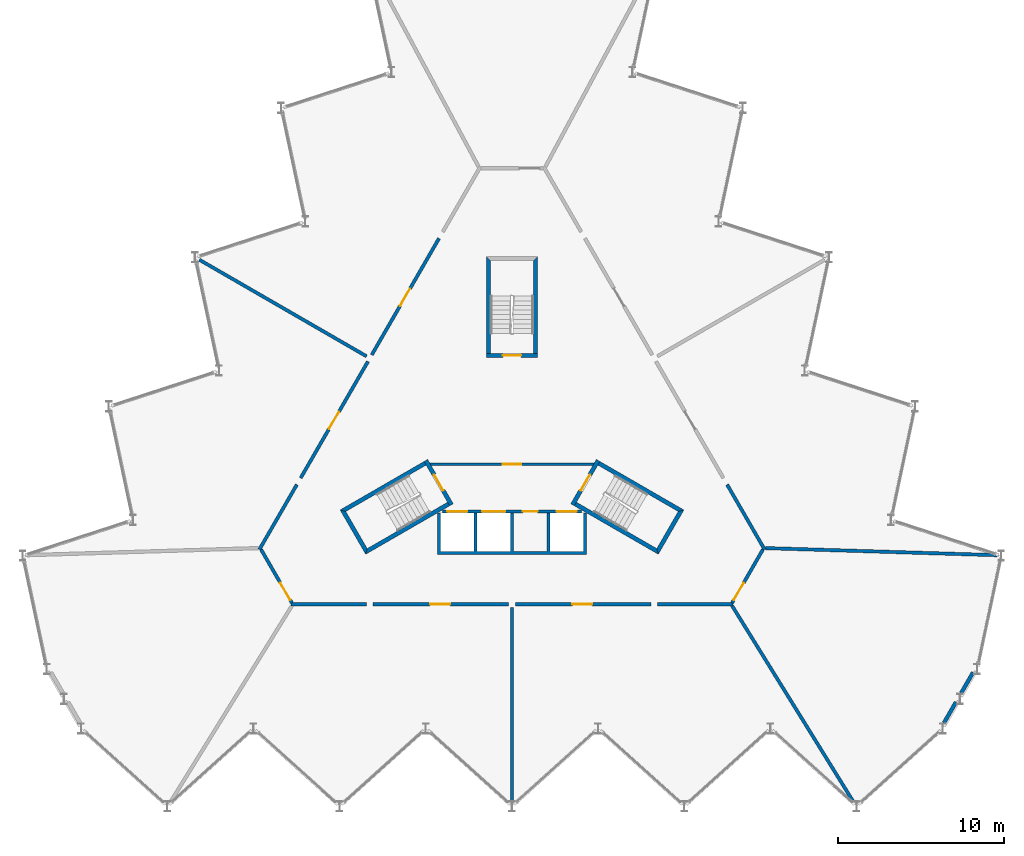
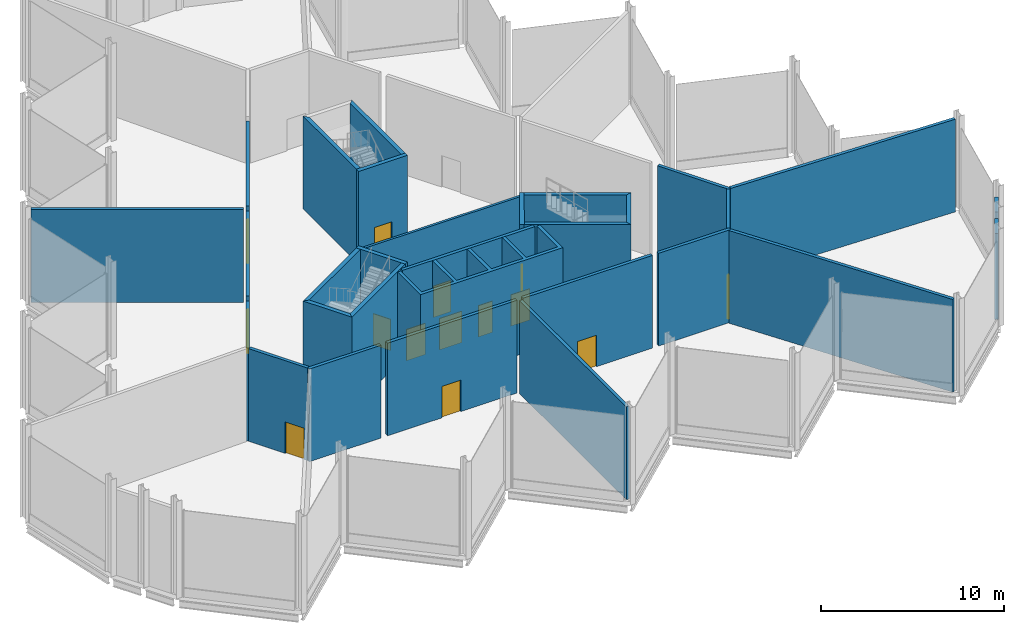
# One storey, part 10 of 12: 30 walls, 14 doors, 14 openings.
"""IFC4 building model written with IfcOpenShell, lengths in metres."""

from ifc_helpers import new_model, si_unit, direction, frame, frame_2d, origin, place, context, subcontext, project, spatial, polyline, rectangle, outline, extrude, material, layer, layer_set, type_object, element, fill, save


model = new_model("IFC4")

# Units and contexts
model_context = context("Model", 3, precision=1e-05, world=origin(), true_north=direction((0.0, 1.0)))
body_context = subcontext(model_context, "Body", "Model", "MODEL_VIEW")
ifc_project = project(units=[si_unit("LENGTHUNIT", "METRE"), si_unit("AREAUNIT", "SQUARE_METRE"), si_unit("VOLUMEUNIT", "CUBIC_METRE"), si_unit("PLANEANGLEUNIT", "RADIAN"), si_unit("MASSUNIT", "GRAM", prefix="KILO")], contexts=[model_context])

# Site, building, storey
site_placement = place(None, origin())
site = spatial("IfcSite", under=ifc_project, at=site_placement, CompositionType="ELEMENT")
building_placement = place(site_placement, origin())
building = spatial("IfcBuilding", under=site, at=building_placement, Name="Cormorant Prow Tower", CompositionType="ELEMENT")
storey_placement = place(building_placement, frame((0.0, 0.0, 421.699951171875)))
storey = spatial("IfcBuildingStorey", under=building, at=storey_placement, Name="L95", CompositionType="ELEMENT", Elevation=421.699951171875)

# Wall, opening, door
ifc_material_1 = material(Name="Gypsum board partition")
ifc_layer_1 = layer(ifc_material_1, 0.14990234375)
ifc_layer_set_1 = layer_set([ifc_layer_1], Name="Gypsum board partition")
wall_type_1 = type_object("IfcWallType", Name="Core partition 150", PredefinedType="PARTITIONING", material=ifc_layer_set_1)
wall_1_placement = place(storey_placement, frame((-4.941162109375, -1.449951171875, 0.0), z_axis=(0.0, 0.0, 1.0), x_axis=(1.0, 0.0, 0.0)))
wall_1 = element("IfcWall", 1, at=wall_1_placement, inside=storey, type_object=wall_type_1, Name="Firefighting lobby partition", PredefinedType="PARTITIONING", context=body_context, shape_type="SweptSolid", body=[
    extrude(rectangle(XDim=9.88232421875, YDim=0.14990234375, at=frame_2d((4.941162109375, 0.0))), origin(), (0.0, 0.0, 1.0), 6.199951171875),
])
opening_1_placement = place(wall_1_placement, frame((4.39111328125, 0.0, 0.0)))
opening_1 = element("IfcOpeningElement", 2, at=opening_1_placement, cuts=wall_1, Name="Opening L95-C05", PredefinedType="OPENING", context=body_context, shape_type="SweptSolid", body=[
    extrude(rectangle(XDim=1.10009765625, YDim=2.10009765625, at=frame_2d((0.550048828125, 1.050048828125))), frame((0.0, 0.0849609375, 0.0), z_axis=(0.0, -1.0, 0.0), x_axis=(1.0, 0.0, 0.0)), (0.0, 0.0, 1.0), 0.169921875),
])
ifc_material_2 = material(Name="Painted steel", Category="steel")
door_type_1 = type_object("IfcDoorType", Name="Firefighting lobby door 1100x2100", OperationType="NOTDEFINED", PredefinedType="DOOR", material=ifc_material_2)
door_1_placement = place(opening_1_placement, origin())
door_1 = element("IfcDoor", 3, at=door_1_placement, inside=storey, type_object=door_type_1, Name="Firefighting lobby door", OperationType="SINGLE_SWING_RIGHT", OverallHeight=2.10009765625, OverallWidth=1.10009765625, PredefinedType="DOOR", context=body_context, shape_type="SweptSolid", body=[
    extrude(rectangle(XDim=1.10009765625, YDim=2.10009765625, at=frame_2d((0.550048828125, 1.050048828125))), frame((0.0, 0.02490234375, 0.0), z_axis=(0.0, -1.0, 0.0), x_axis=(1.0, 0.0, 0.0)), (0.0, 0.0, 1.0), 0.050048828125),
])
fill(opening_1, door_1)

ifc_material_3 = material(Name="Gypsum board corridor wall")
ifc_layer_2 = layer(ifc_material_3, 0.199951171875)
ifc_layer_set_2 = layer_set([ifc_layer_2], Name="Gypsum board corridor wall")
wall_type_2 = type_object("IfcWallType", Name="Corridor wall 200", PredefinedType="PARTITIONING", material=ifc_layer_set_2)
wall_2_placement = place(storey_placement, frame((-8.381591796875, -9.905517578125, 0.0), z_axis=(0.0, 0.0, 1.0), x_axis=(1.0, 0.0, 0.0)))
wall_2 = element("IfcWall", 4, at=wall_2_placement, inside=storey, type_object=wall_type_2, Name="Corridor wall", PredefinedType="PARTITIONING", context=body_context, shape_type="SweptSolid", body=[
    extrude(rectangle(XDim=8.1845703125, YDim=0.199951171875, at=frame_2d((4.09228515625, 0.0))), origin(), (0.0, 0.0, 1.0), 6.199951171875),
])
opening_2_placement = place(wall_2_placement, frame((3.441650390625, 0.0, 0.0)))
opening_2 = element("IfcOpeningElement", 5, at=opening_2_placement, cuts=wall_2, Name="Opening L95-F03", PredefinedType="OPENING", context=body_context, shape_type="SweptSolid", body=[
    extrude(rectangle(XDim=1.199951171875, YDim=2.10009765625, at=frame_2d((0.60009765625, 1.050048828125))), frame((0.0, 0.10986328125, 0.0), z_axis=(0.0, -1.0, 0.0), x_axis=(1.0, 0.0, 0.0)), (0.0, 0.0, 1.0), 0.219970703125),
])
ifc_material_4 = material(Name="Timber door leaf", Category="wood")
door_type_2 = type_object("IfcDoorType", Name="Plant room door 1200x2100", OperationType="NOTDEFINED", PredefinedType="DOOR", material=ifc_material_4)
door_2_placement = place(opening_2_placement, origin())
door_2 = element("IfcDoor", 6, at=door_2_placement, inside=storey, type_object=door_type_2, Name="Water tank room door", OperationType="SINGLE_SWING_LEFT", OverallHeight=2.10009765625, OverallWidth=1.199951171875, PredefinedType="DOOR", context=body_context, shape_type="SweptSolid", body=[
    extrude(rectangle(XDim=1.199951171875, YDim=2.10009765625, at=frame_2d((0.60009765625, 1.050048828125))), frame((0.0, 0.02490234375, 0.0), z_axis=(0.0, -1.0, 0.0), x_axis=(1.0, 0.0, 0.0)), (0.0, 0.0, 1.0), 0.050048828125),
])
fill(opening_2, door_2)

wall_3_placement = place(storey_placement, frame((0.197021484375, -9.905517578125, 0.0), z_axis=(0.0, 0.0, 1.0), x_axis=(1.0, 0.0, 0.0)))
wall_3 = element("IfcWall", 7, at=wall_3_placement, inside=storey, type_object=wall_type_2, Name="Corridor wall", PredefinedType="PARTITIONING", context=body_context, shape_type="SweptSolid", body=[
    extrude(rectangle(XDim=8.1845703125, YDim=0.199951171875, at=frame_2d((4.09228515625, 0.0))), origin(), (0.0, 0.0, 1.0), 6.199951171875),
])
opening_3_placement = place(wall_3_placement, frame((3.441650390625, 0.0, 0.0)))
opening_3 = element("IfcOpeningElement", 8, at=opening_3_placement, cuts=wall_3, Name="Opening L95-F04", PredefinedType="OPENING", context=body_context, shape_type="SweptSolid", body=[
    extrude(rectangle(XDim=1.199951171875, YDim=2.10009765625, at=frame_2d((0.60009765625, 1.050048828125))), frame((0.0, 0.10986328125, 0.0), z_axis=(0.0, -1.0, 0.0), x_axis=(1.0, 0.0, 0.0)), (0.0, 0.0, 1.0), 0.219970703125),
])
door_3_placement = place(opening_3_placement, origin())
door_3 = element("IfcDoor", 9, at=door_3_placement, inside=storey, type_object=door_type_2, Name="Electrical switch room door", OperationType="SINGLE_SWING_RIGHT", OverallHeight=2.10009765625, OverallWidth=1.199951171875, PredefinedType="DOOR", context=body_context, shape_type="SweptSolid", body=[
    extrude(rectangle(XDim=1.199951171875, YDim=2.10009765625, at=frame_2d((0.60009765625, 1.050048828125))), frame((0.0, 0.02490234375, 0.0), z_axis=(0.0, -1.0, 0.0), x_axis=(1.0, 0.0, 0.0)), (0.0, 0.0, 1.0), 0.050048828125),
])
fill(opening_3, door_3)

wall_4_placement = place(storey_placement, frame((-8.464599609375, 5.14990234375, 0.0), z_axis=(0.0, 0.0, 1.0), x_axis=(0.499992155518, 0.866029932751, 0.0)))
wall_4 = element("IfcWall", 10, at=wall_4_placement, inside=storey, type_object=wall_type_2, Name="Corridor wall", PredefinedType="PARTITIONING", context=body_context, shape_type="SweptSolid", body=[
    extrude(rectangle(XDim=8.123291015625, YDim=0.199951171875, at=frame_2d((4.0615234375, 0.0))), origin(), (0.0, 0.0, 1.0), 6.199951171875),
])
opening_4_placement = place(wall_4_placement, frame((3.41162109375, 0.0, 0.0)))
opening_4 = element("IfcOpeningElement", 11, at=opening_4_placement, cuts=wall_4, Name="Opening L95-F07", PredefinedType="OPENING", context=body_context, shape_type="SweptSolid", body=[
    extrude(rectangle(XDim=1.199951171875, YDim=2.10009765625, at=frame_2d((0.60009765625, 1.050048828125))), frame((0.0, 0.10986328125, 0.0), z_axis=(0.0, -1.0, 0.0), x_axis=(1.0, 0.0, 0.0)), (0.0, 0.0, 1.0), 0.219970703125),
])
door_4_placement = place(opening_4_placement, origin())
door_4 = element("IfcDoor", 12, at=door_4_placement, inside=storey, type_object=door_type_2, Name="Lift machine room door", OperationType="SINGLE_SWING_RIGHT", OverallHeight=2.10009765625, OverallWidth=1.199951171875, PredefinedType="DOOR", context=body_context, shape_type="SweptSolid", body=[
    extrude(rectangle(XDim=1.199951171875, YDim=2.10009765625, at=frame_2d((0.60009765625, 1.050048828125))), frame((0.0, 0.02490234375, 0.0), z_axis=(0.0, -1.0, 0.0), x_axis=(1.0, 0.0, 0.0)), (0.0, 0.0, 1.0), 0.050048828125),
])
fill(opening_4, door_4)

wall_5_placement = place(storey_placement, frame((-12.75390625, -2.279296875, 0.0), z_axis=(0.0, 0.0, 1.0), x_axis=(0.500001682468, 0.866024432409, 0.0)))
wall_5 = element("IfcWall", 13, at=wall_5_placement, inside=storey, type_object=wall_type_2, Name="Corridor wall", PredefinedType="PARTITIONING", context=body_context, shape_type="SweptSolid", body=[
    extrude(rectangle(XDim=8.12353515625, YDim=0.199951171875, at=frame_2d((4.061767578125, 0.0))), origin(), (0.0, 0.0, 1.0), 6.199951171875),
])
opening_5_placement = place(wall_5_placement, frame((3.41162109375, 0.0, 0.0)))
opening_5 = element("IfcOpeningElement", 14, at=opening_5_placement, cuts=wall_5, Name="Opening L95-F05", PredefinedType="OPENING", context=body_context, shape_type="SweptSolid", body=[
    extrude(rectangle(XDim=1.199951171875, YDim=2.10009765625, at=frame_2d((0.60009765625, 1.050048828125))), frame((0.0, 0.10986328125, 0.0), z_axis=(0.0, -1.0, 0.0), x_axis=(1.0, 0.0, 0.0)), (0.0, 0.0, 1.0), 0.219970703125),
])
door_5_placement = place(opening_5_placement, origin())
door_5 = element("IfcDoor", 15, at=door_5_placement, inside=storey, type_object=door_type_2, Name="Air handling plant room door", OperationType="SINGLE_SWING_RIGHT", OverallHeight=2.10009765625, OverallWidth=1.199951171875, PredefinedType="DOOR", context=body_context, shape_type="SweptSolid", body=[
    extrude(rectangle(XDim=1.199951171875, YDim=2.10009765625, at=frame_2d((0.60009765625, 1.050048828125))), frame((0.0, 0.02490234375, 0.0), z_axis=(0.0, -1.0, 0.0), x_axis=(1.0, 0.0, 0.0)), (0.0, 0.0, 1.0), 0.050048828125),
])
fill(opening_5, door_5)

# Walls
for number, where, z_axis, x_axis, name in (
    (16, (-13.330810546875, -9.905517578125, 0.0), (0.0, 0.0, 1.0), (1.0, 0.0, 0.0), "Corridor wall"),
    (17, (8.775390625, -9.905517578125, 0.0), (0.0, 0.0, 1.0), (1.0, 0.0, 0.0), "Corridor wall"),
):
    element("IfcWall", number, at=place(storey_placement, frame(where, z_axis=z_axis, x_axis=x_axis)), inside=storey, type_object=wall_type_2, Name=name, PredefinedType="PARTITIONING", context=body_context, shape_type="SweptSolid", body=[
        extrude(rectangle(XDim=4.555419921875, YDim=0.199951171875, at=frame_2d((2.27783203125, 0.0))), origin(), (0.0, 0.0, 1.0), 6.199951171875),
    ])
for number, where, z_axis, x_axis, name in (
    (18, (-15.243896484375, -6.59228515625, 0.0), (0.0, 0.0, 1.0), (0.499974648164, 0.866040040179, 0.0), "Corridor wall"),
    (19, (12.9814453125, -2.67333984375, 0.0), (0.0, 0.0, 1.0), (0.499974648164, -0.866040040179, 0.0), "Corridor wall"),
):
    element("IfcWall", number, at=place(storey_placement, frame(where, z_axis=z_axis, x_axis=x_axis)), inside=storey, type_object=wall_type_2, Name=name, PredefinedType="PARTITIONING", context=body_context, shape_type="SweptSolid", body=[
        extrude(rectangle(XDim=4.525146484375, YDim=0.199951171875, at=frame_2d((2.2626953125, 0.0))), origin(), (0.0, 0.0, 1.0), 6.199951171875),
    ])

# Wall, opening, door
wall_6_placement = place(storey_placement, frame((-15.143798828125, -6.59228515625, 0.0), z_axis=(0.0, 0.0, 1.0), x_axis=(0.499958791762, -0.866049194065, 0.0)))
wall_6 = element("IfcWall", 20, at=wall_6_placement, inside=storey, type_object=wall_type_2, Name="Corridor wall", PredefinedType="PARTITIONING", context=body_context, shape_type="SweptSolid", body=[
    extrude(rectangle(XDim=3.725830078125, YDim=0.199951171875, at=frame_2d((1.86279296875, 0.0))), origin(), (0.0, 0.0, 1.0), 6.199951171875),
])
opening_6_placement = place(wall_6_placement, frame((2.324951171875, 0.0, 0.0)))
opening_6 = element("IfcOpeningElement", 21, at=opening_6_placement, cuts=wall_6, Name="Opening L95-F01", PredefinedType="OPENING", context=body_context, shape_type="SweptSolid", body=[
    extrude(rectangle(XDim=1.199951171875, YDim=2.10009765625, at=frame_2d((0.60009765625, 1.050048828125))), frame((0.0, 0.10986328125, 0.0), z_axis=(0.0, -1.0, 0.0), x_axis=(1.0, 0.0, 0.0)), (0.0, 0.0, 1.0), 0.219970703125),
])
door_6_placement = place(opening_6_placement, origin())
door_6 = element("IfcDoor", 22, at=door_6_placement, inside=storey, type_object=door_type_2, Name="Damper plant room door", OperationType="SINGLE_SWING_RIGHT", OverallHeight=2.10009765625, OverallWidth=1.199951171875, PredefinedType="DOOR", context=body_context, shape_type="SweptSolid", body=[
    extrude(rectangle(XDim=1.199951171875, YDim=2.10009765625, at=frame_2d((0.60009765625, 1.050048828125))), frame((0.0, 0.02490234375, 0.0), z_axis=(0.0, -1.0, 0.0), x_axis=(1.0, 0.0, 0.0)), (0.0, 0.0, 1.0), 0.050048828125),
])
fill(opening_6, door_6)

wall_7_placement = place(storey_placement, frame((13.281005859375, -9.819091796875, 0.0), z_axis=(0.0, 0.0, 1.0), x_axis=(0.499958791762, 0.866049194065, 0.0)))
wall_7 = element("IfcWall", 23, at=wall_7_placement, inside=storey, type_object=wall_type_2, Name="Corridor wall", PredefinedType="PARTITIONING", context=body_context, shape_type="SweptSolid", body=[
    extrude(rectangle(XDim=3.725830078125, YDim=0.199951171875, at=frame_2d((1.86279296875, 0.0))), origin(), (0.0, 0.0, 1.0), 6.199951171875),
])
opening_7_placement = place(wall_7_placement, frame((0.201171875, 0.0, 0.0)))
opening_7 = element("IfcOpeningElement", 24, at=opening_7_placement, cuts=wall_7, Name="Opening L95-F02", PredefinedType="OPENING", context=body_context, shape_type="SweptSolid", body=[
    extrude(rectangle(XDim=1.199951171875, YDim=2.10009765625, at=frame_2d((0.60009765625, 1.050048828125))), frame((0.0, 0.10986328125, 0.0), z_axis=(0.0, -1.0, 0.0), x_axis=(1.0, 0.0, 0.0)), (0.0, 0.0, 1.0), 0.219970703125),
])
door_7_placement = place(opening_7_placement, origin())
door_7 = element("IfcDoor", 25, at=door_7_placement, inside=storey, type_object=door_type_2, Name="Lift machine room door", OperationType="SINGLE_SWING_LEFT", OverallHeight=2.10009765625, OverallWidth=1.199951171875, PredefinedType="DOOR", context=body_context, shape_type="SweptSolid", body=[
    extrude(rectangle(XDim=1.199951171875, YDim=2.10009765625, at=frame_2d((0.60009765625, 1.050048828125))), frame((0.0, 0.02490234375, 0.0), z_axis=(0.0, -1.0, 0.0), x_axis=(1.0, 0.0, 0.0)), (0.0, 0.0, 1.0), 0.050048828125),
])
fill(opening_7, door_7)

# Walls
ifc_material_5 = material(Name="Gypsum board demising wall")
ifc_layer_3 = layer(ifc_material_5, 0.199951171875)
ifc_layer_set_3 = layer_set([ifc_layer_3], Name="Gypsum board demising wall")
wall_type_3 = type_object("IfcWallType", Name="Demising wall 200", PredefinedType="PARTITIONING", material=ifc_layer_set_3)
wall_8_placement = place(storey_placement, frame((15.293701171875, -6.508544921875, 0.0), z_axis=(0.0, 0.0, 1.0), x_axis=(0.999534583604, -0.030506002359, 0.0)))
element("IfcWall", 26, at=wall_8_placement, inside=storey, type_object=wall_type_3, Name="Demising wall", PredefinedType="PARTITIONING", context=body_context, shape_type="SweptSolid", body=[
    extrude(rectangle(XDim=13.973388671875, YDim=0.199951171875, at=frame_2d((6.98681640625, 0.0))), origin(), (0.0, 0.0, 1.0), 6.199951171875),
])
wall_9_placement = place(storey_placement, frame((13.283447265625, -9.990478515625, 0.0), z_axis=(0.0, 0.0, 1.0), x_axis=(0.526187960676, -0.850368290825, 0.0)))
element("IfcWall", 27, at=wall_9_placement, inside=storey, type_object=wall_type_3, Name="Demising wall", PredefinedType="PARTITIONING", context=body_context, shape_type="SweptSolid", body=[
    extrude(rectangle(XDim=13.92041015625, YDim=0.199951171875, at=frame_2d((6.960205078125, 0.0))), origin(), (0.0, 0.0, 1.0), 6.199951171875),
])
wall_10_placement = place(storey_placement, frame((0.0, -21.827880859375, 0.0), z_axis=(0.0, 0.0, 1.0), x_axis=(0.0, 1.0, 0.0)))
element("IfcWall", 28, at=wall_10_placement, inside=storey, type_object=wall_type_3, Name="Demising wall", PredefinedType="PARTITIONING", context=body_context, shape_type="SweptSolid", body=[
    extrude(rectangle(XDim=11.725341796875, YDim=0.199951171875, at=frame_2d((5.86279296875, 0.0))), origin(), (0.0, 0.0, 1.0), 6.199951171875),
])
wall_11_placement = place(storey_placement, frame((-18.86865234375, 10.893798828125, 0.0), z_axis=(0.0, 0.0, 1.0), x_axis=(0.866023724155, -0.500002909193, 0.0)))
element("IfcWall", 29, at=wall_11_placement, inside=storey, type_object=wall_type_3, Name="Demising wall", PredefinedType="PARTITIONING", context=body_context, shape_type="SweptSolid", body=[
    extrude(rectangle(XDim=11.65478515625, YDim=0.199951171875, at=frame_2d((5.827392578125, 0.0))), origin(), (0.0, 0.0, 1.0), 6.199951171875),
])

# Wall, openings, doors
ifc_material_6 = material(Name="Concrete 5000 psi", Category="concrete")
ifc_layer_4 = layer(ifc_material_6, 0.199951171875)
ifc_layer_set_4 = layer_set([ifc_layer_4], Name="Concrete 5000 psi")
wall_type_4 = type_object("IfcWallType", Name="Lift lobby wall 200", PredefinedType="SOLIDWALL", material=ifc_layer_set_4)
wall_12_placement = place(storey_placement, frame((-4.1865234375, -4.300048828125, 0.0), z_axis=(0.0, 0.0, 1.0), x_axis=(1.0, 0.0, 0.0)))
wall_12 = element("IfcWall", 30, at=wall_12_placement, inside=storey, type_object=wall_type_4, Name="Lift lobby wall, S block", PredefinedType="SOLIDWALL", context=body_context, shape_type="SweptSolid", body=[
    extrude(rectangle(XDim=8.373046875, YDim=0.199951171875, at=frame_2d((4.1865234375, 0.0))), origin(), (0.0, 0.0, 1.0), 6.199951171875),
])
opening_8_placement = place(wall_12_placement, frame((0.28662109375, 0.0, 0.0)))
opening_8 = element("IfcOpeningElement", 31, at=opening_8_placement, cuts=wall_12, Name="Opening L95-C01", PredefinedType="OPENING", context=body_context, shape_type="SweptSolid", body=[
    extrude(rectangle(XDim=1.199951171875, YDim=2.10009765625, at=frame_2d((0.60009765625, 1.050048828125))), frame((0.0, 0.10986328125, 0.0), z_axis=(0.0, -1.0, 0.0), x_axis=(1.0, 0.0, 0.0)), (0.0, 0.0, 1.0), 0.219970703125),
])
opening_9_placement = place(wall_12_placement, frame((2.38671875, 0.0, 0.0)))
opening_9 = element("IfcOpeningElement", 32, at=opening_9_placement, cuts=wall_12, Name="Opening L95-C02", PredefinedType="OPENING", context=body_context, shape_type="SweptSolid", body=[
    extrude(rectangle(XDim=1.39990234375, YDim=2.10009765625, at=frame_2d((0.699951171875, 1.050048828125))), frame((0.0, 0.10986328125, 0.0), z_axis=(0.0, -1.0, 0.0), x_axis=(1.0, 0.0, 0.0)), (0.0, 0.0, 1.0), 0.219970703125),
])
opening_10_placement = place(wall_12_placement, frame((4.836669921875, 0.0, 0.0)))
opening_10 = element("IfcOpeningElement", 33, at=opening_10_placement, cuts=wall_12, Name="Opening L95-C03", PredefinedType="OPENING", context=body_context, shape_type="SweptSolid", body=[
    extrude(rectangle(XDim=0.89990234375, YDim=2.10009765625, at=frame_2d((0.449951171875, 1.050048828125))), frame((0.0, 0.10986328125, 0.0), z_axis=(0.0, -1.0, 0.0), x_axis=(1.0, 0.0, 0.0)), (0.0, 0.0, 1.0), 0.219970703125),
])
opening_11_placement = place(wall_12_placement, frame((6.88671875, 0.0, 0.0)))
opening_11 = element("IfcOpeningElement", 34, at=opening_11_placement, cuts=wall_12, Name="Opening L95-C04", PredefinedType="OPENING", context=body_context, shape_type="SweptSolid", body=[
    extrude(rectangle(XDim=1.199951171875, YDim=2.10009765625, at=frame_2d((0.60009765625, 1.050048828125))), frame((0.0, 0.10986328125, 0.0), z_axis=(0.0, -1.0, 0.0), x_axis=(1.0, 0.0, 0.0)), (0.0, 0.0, 1.0), 0.219970703125),
])
ifc_material_7 = material(Name="Painted steel", Category="steel")
door_type_3 = type_object("IfcDoorType", Name="Firefighting lift landing door 1200x2100", OperationType="SLIDING_TO_LEFT", PredefinedType="DOOR", material=ifc_material_7)
door_8_placement = place(opening_8_placement, origin())
door_8 = element("IfcDoor", 35, at=door_8_placement, inside=storey, type_object=door_type_3, Name="Landing door FL1", OperationType="SLIDING_TO_LEFT", OverallHeight=2.10009765625, OverallWidth=1.199951171875, PredefinedType="DOOR", context=body_context, shape_type="SweptSolid", body=[
    extrude(rectangle(XDim=1.199951171875, YDim=2.10009765625, at=frame_2d((0.60009765625, 1.050048828125))), frame((0.0, 0.02490234375, 0.0), z_axis=(0.0, -1.0, 0.0), x_axis=(1.0, 0.0, 0.0)), (0.0, 0.0, 1.0), 0.050048828125),
])
fill(opening_8, door_8)
door_9_placement = place(opening_11_placement, origin())
door_9 = element("IfcDoor", 36, at=door_9_placement, inside=storey, type_object=door_type_3, Name="Landing door FL2", OperationType="SLIDING_TO_LEFT", OverallHeight=2.10009765625, OverallWidth=1.199951171875, PredefinedType="DOOR", context=body_context, shape_type="SweptSolid", body=[
    extrude(rectangle(XDim=1.199951171875, YDim=2.10009765625, at=frame_2d((0.60009765625, 1.050048828125))), frame((0.0, 0.02490234375, 0.0), z_axis=(0.0, -1.0, 0.0), x_axis=(1.0, 0.0, 0.0)), (0.0, 0.0, 1.0), 0.050048828125),
])
fill(opening_11, door_9)
ifc_material_8 = material(Name="Painted steel", Category="steel")
door_type_4 = type_object("IfcDoorType", Name="Service door 900x2100", OperationType="NOTDEFINED", PredefinedType="DOOR", material=ifc_material_8)
door_10_placement = place(opening_10_placement, origin())
door_10 = element("IfcDoor", 37, at=door_10_placement, inside=storey, type_object=door_type_4, Name="Service door, Plant spares store", OperationType="SINGLE_SWING_LEFT", OverallHeight=2.10009765625, OverallWidth=0.89990234375, PredefinedType="DOOR", context=body_context, shape_type="SweptSolid", body=[
    extrude(rectangle(XDim=0.89990234375, YDim=2.10009765625, at=frame_2d((0.449951171875, 1.050048828125))), frame((0.0, 0.02490234375, 0.0), z_axis=(0.0, -1.0, 0.0), x_axis=(1.0, 0.0, 0.0)), (0.0, 0.0, 1.0), 0.050048828125),
])
fill(opening_10, door_10)
ifc_material_9 = material(Name="Painted steel", Category="steel")
door_type_5 = type_object("IfcDoorType", Name="Service lift landing door 1400x2100", OperationType="SLIDING_TO_LEFT", PredefinedType="DOOR", material=ifc_material_9)
door_11_placement = place(opening_9_placement, origin())
door_11 = element("IfcDoor", 38, at=door_11_placement, inside=storey, type_object=door_type_5, Name="Landing door SL1", OperationType="SLIDING_TO_LEFT", OverallHeight=2.10009765625, OverallWidth=1.39990234375, PredefinedType="DOOR", context=body_context, shape_type="SweptSolid", body=[
    extrude(rectangle(XDim=1.39990234375, YDim=2.10009765625, at=frame_2d((0.699951171875, 1.050048828125))), frame((0.0, 0.02490234375, 0.0), z_axis=(0.0, -1.0, 0.0), x_axis=(1.0, 0.0, 0.0)), (0.0, 0.0, 1.0), 0.050048828125),
])
fill(opening_9, door_11)

# Walls
ifc_material_10 = material(Name="Concrete 8000 psi", Category="concrete")
ifc_layer_5 = layer(ifc_material_10, 0.199951171875)
ifc_layer_set_5 = layer_set([ifc_layer_5], Name="Concrete 8000 psi")
wall_type_5 = type_object("IfcWallType", Name="Lift shaft wall 200", PredefinedType="SHEAR", material=ifc_layer_set_5)
wall_13_placement = place(storey_placement, origin())
element("IfcWall", 39, at=wall_13_placement, inside=storey, type_object=wall_type_5, Name="Lift shaft walls, S block", PredefinedType="SHEAR", context=body_context, shape_type="SweptSolid", body=[
    extrude(outline(polyline([(4.5, -4.39990234375), (4.5, -6.906005859375), (-4.5, -6.906005859375), (-4.5, -4.39990234375), (-4.300048828125, -4.39990234375), (-4.300048828125, -6.699951171875), (-2.300048828125, -6.699951171875), (-2.300048828125, -4.39990234375), (-2.10009765625, -4.39990234375), (-2.10009765625, -6.699951171875), (-0.10009765625, -6.699951171875), (-0.10009765625, -4.39990234375), (0.10009765625, -4.39990234375), (0.10009765625, -6.699951171875), (2.10009765625, -6.699951171875), (2.10009765625, -4.39990234375), (2.300048828125, -4.39990234375), (2.300048828125, -6.699951171875), (4.300048828125, -6.699951171875), (4.300048828125, -4.39990234375), (4.5, -4.39990234375)])), origin(), (0.0, 0.0, 1.0), 6.199951171875),
])
ifc_material_11 = material(Name="Concrete 8000 psi", Category="concrete")
ifc_layer_6 = layer(ifc_material_11, 0.25)
ifc_layer_set_6 = layer_set([ifc_layer_6], Name="Concrete 8000 psi")
wall_type_6 = type_object("IfcWallType", Name="Stair wall 250", PredefinedType="SHEAR", material=ifc_layer_set_6)
wall_14_placement = place(storey_placement, origin())
element("IfcWall", 40, at=wall_14_placement, inside=storey, type_object=wall_type_6, Name="Stair ST1 enclosure wall (flank)", PredefinedType="SHEAR", context=body_context, shape_type="SweptSolid", body=[
    extrude(outline(polyline([(-5.30712890625, -1.28125), (-10.37353515625, -4.206298828125), (-10.031982421875, -4.2978515625), (-5.18212890625, -1.497802734375), (-5.30712890625, -1.28125)])), origin(), (0.0, 0.0, 1.0), 6.199951171875),
])
wall_15_placement = place(storey_placement, origin())
element("IfcWall", 41, at=wall_15_placement, inside=storey, type_object=wall_type_6, Name="Stair ST1 enclosure wall (end)", PredefinedType="SHEAR", context=body_context, shape_type="SweptSolid", body=[
    extrude(outline(polyline([(-10.37353515625, -4.206298828125), (-8.82958984375, -6.880615234375), (-8.738037109375, -6.5390625), (-10.031982421875, -4.2978515625), (-10.37353515625, -4.206298828125)])), origin(), (0.0, 0.0, 1.0), 6.199951171875),
])
wall_16_placement = place(storey_placement, origin())
element("IfcWall", 42, at=wall_16_placement, inside=storey, type_object=wall_type_6, Name="Stair ST1 enclosure wall (flank)", PredefinedType="SHEAR", context=body_context, shape_type="SweptSolid", body=[
    extrude(outline(polyline([(-8.738037109375, -6.5390625), (-8.82958984375, -6.880615234375), (-3.76318359375, -3.95556640625), (-3.88818359375, -3.739013671875), (-8.738037109375, -6.5390625)])), origin(), (0.0, 0.0, 1.0), 6.199951171875),
])

# Wall, opening, door
wall_17_placement = place(storey_placement, frame((-5.198974609375, -1.21875, 0.0), z_axis=(0.0, 0.0, 1.0), x_axis=(0.499982516597, -0.866035497597, 0.0)))
wall_17 = element("IfcWall", 43, at=wall_17_placement, inside=storey, type_object=wall_type_6, Name="Stair ST1 door wall", PredefinedType="SHEAR", context=body_context, shape_type="SweptSolid", body=[
    extrude(rectangle(XDim=3.087890625, YDim=0.25, at=frame_2d((1.5439453125, 0.0))), origin(), (0.0, 0.0, 1.0), 6.199951171875),
])
opening_12_placement = place(wall_17_placement, frame((0.993896484375, 0.0, 0.0)))
opening_12 = element("IfcOpeningElement", 44, at=opening_12_placement, cuts=wall_17, Name="Opening L95-C06", PredefinedType="OPENING", context=body_context, shape_type="SweptSolid", body=[
    extrude(rectangle(XDim=1.10009765625, YDim=2.10009765625, at=frame_2d((0.550048828125, 1.050048828125))), frame((0.0, 0.135009765625, 0.0), z_axis=(0.0, -1.0, 0.0), x_axis=(1.0, 0.0, 0.0)), (0.0, 0.0, 1.0), 0.27001953125),
])
ifc_material_12 = material(Name="Painted steel", Category="steel")
door_type_6 = type_object("IfcDoorType", Name="Stair door 1100x2100", OperationType="NOTDEFINED", PredefinedType="DOOR", material=ifc_material_12)
door_12_placement = place(opening_12_placement, origin())
door_12 = element("IfcDoor", 45, at=door_12_placement, inside=storey, type_object=door_type_6, Name="Stair ST1 door", OperationType="SINGLE_SWING_LEFT", OverallHeight=2.10009765625, OverallWidth=1.10009765625, PredefinedType="DOOR", context=body_context, shape_type="SweptSolid", body=[
    extrude(rectangle(XDim=1.10009765625, YDim=2.10009765625, at=frame_2d((0.550048828125, 1.050048828125))), frame((0.0, 0.02490234375, 0.0), z_axis=(0.0, -1.0, 0.0), x_axis=(1.0, 0.0, 0.0)), (0.0, 0.0, 1.0), 0.050048828125),
])
fill(opening_12, door_12)

# Walls
wall_18_placement = place(storey_placement, origin())
element("IfcWall", 46, at=wall_18_placement, inside=storey, type_object=wall_type_6, Name="Stair ST2 enclosure wall (flank)", PredefinedType="SHEAR", context=body_context, shape_type="SweptSolid", body=[
    extrude(outline(polyline([(3.76318359375, -3.95556640625), (8.82958984375, -6.880615234375), (8.738037109375, -6.5390625), (3.88818359375, -3.739013671875), (3.76318359375, -3.95556640625)])), origin(), (0.0, 0.0, 1.0), 6.199951171875),
])
wall_19_placement = place(storey_placement, origin())
element("IfcWall", 47, at=wall_19_placement, inside=storey, type_object=wall_type_6, Name="Stair ST2 enclosure wall (end)", PredefinedType="SHEAR", context=body_context, shape_type="SweptSolid", body=[
    extrude(outline(polyline([(8.82958984375, -6.880615234375), (10.37353515625, -4.206298828125), (10.031982421875, -4.2978515625), (8.738037109375, -6.5390625), (8.82958984375, -6.880615234375)])), origin(), (0.0, 0.0, 1.0), 6.199951171875),
])
wall_20_placement = place(storey_placement, origin())
element("IfcWall", 48, at=wall_20_placement, inside=storey, type_object=wall_type_6, Name="Stair ST2 enclosure wall (flank)", PredefinedType="SHEAR", context=body_context, shape_type="SweptSolid", body=[
    extrude(outline(polyline([(10.031982421875, -4.2978515625), (10.37353515625, -4.206298828125), (5.30712890625, -1.28125), (5.18212890625, -1.497802734375), (10.031982421875, -4.2978515625)])), origin(), (0.0, 0.0, 1.0), 6.199951171875),
])

# Wall, opening, door
wall_21_placement = place(storey_placement, frame((3.655029296875, -3.89306640625, 0.0), z_axis=(0.0, 0.0, 1.0), x_axis=(0.499982516597, 0.866035497597, 0.0)))
wall_21 = element("IfcWall", 49, at=wall_21_placement, inside=storey, type_object=wall_type_6, Name="Stair ST2 door wall", PredefinedType="SHEAR", context=body_context, shape_type="SweptSolid", body=[
    extrude(rectangle(XDim=3.087890625, YDim=0.25, at=frame_2d((1.5439453125, 0.0))), origin(), (0.0, 0.0, 1.0), 6.199951171875),
])
opening_13_placement = place(wall_21_placement, frame((0.993896484375, 0.0, 0.0)))
opening_13 = element("IfcOpeningElement", 50, at=opening_13_placement, cuts=wall_21, Name="Opening L95-C07", PredefinedType="OPENING", context=body_context, shape_type="SweptSolid", body=[
    extrude(rectangle(XDim=1.10009765625, YDim=2.10009765625, at=frame_2d((0.550048828125, 1.050048828125))), frame((0.0, 0.135009765625, 0.0), z_axis=(0.0, -1.0, 0.0), x_axis=(1.0, 0.0, 0.0)), (0.0, 0.0, 1.0), 0.27001953125),
])
door_13_placement = place(opening_13_placement, origin())
door_13 = element("IfcDoor", 51, at=door_13_placement, inside=storey, type_object=door_type_6, Name="Stair ST2 door", OperationType="SINGLE_SWING_RIGHT", OverallHeight=2.10009765625, OverallWidth=1.10009765625, PredefinedType="DOOR", context=body_context, shape_type="SweptSolid", body=[
    extrude(rectangle(XDim=1.10009765625, YDim=2.10009765625, at=frame_2d((0.550048828125, 1.050048828125))), frame((0.0, 0.02490234375, 0.0), z_axis=(0.0, -1.0, 0.0), x_axis=(1.0, 0.0, 0.0)), (0.0, 0.0, 1.0), 0.050048828125),
])
fill(opening_13, door_13)

# Walls
wall_22_placement = place(storey_placement, origin())
element("IfcWall", 52, at=wall_22_placement, inside=storey, type_object=wall_type_6, Name="Stair ST3 enclosure wall (flank)", PredefinedType="SHEAR", context=body_context, shape_type="SweptSolid", body=[
    extrude(outline(polyline([(1.5439453125, 5.23681640625), (1.5439453125, 11.0869140625), (1.2939453125, 10.8369140625), (1.2939453125, 5.23681640625), (1.5439453125, 5.23681640625)])), origin(), (0.0, 0.0, 1.0), 6.199951171875),
])
wall_23_placement = place(storey_placement, origin())
element("IfcWall", 53, at=wall_23_placement, inside=storey, type_object=wall_type_6, Name="Stair ST3 enclosure wall (flank)", PredefinedType="SHEAR", context=body_context, shape_type="SweptSolid", body=[
    extrude(outline(polyline([(-1.2939453125, 10.8369140625), (-1.5439453125, 11.0869140625), (-1.5439453125, 5.23681640625), (-1.2939453125, 5.23681640625), (-1.2939453125, 10.8369140625)])), origin(), (0.0, 0.0, 1.0), 6.199951171875),
])

# Wall, opening, door
wall_24_placement = place(storey_placement, frame((1.5439453125, 5.11181640625, 0.0), z_axis=(0.0, 0.0, 1.0), x_axis=(-1.0, 0.0, 0.0)))
wall_24 = element("IfcWall", 54, at=wall_24_placement, inside=storey, type_object=wall_type_6, Name="Stair ST3 door wall", PredefinedType="SHEAR", context=body_context, shape_type="SweptSolid", body=[
    extrude(rectangle(XDim=3.087890625, YDim=0.25, at=frame_2d((1.5439453125, 0.0))), origin(), (0.0, 0.0, 1.0), 6.199951171875),
])
opening_14_placement = place(wall_24_placement, frame((0.993896484375, 0.0, 0.0)))
opening_14 = element("IfcOpeningElement", 55, at=opening_14_placement, cuts=wall_24, Name="Opening L95-C08", PredefinedType="OPENING", context=body_context, shape_type="SweptSolid", body=[
    extrude(rectangle(XDim=1.10009765625, YDim=2.10009765625, at=frame_2d((0.550048828125, 1.050048828125))), frame((0.0, 0.135009765625, 0.0), z_axis=(0.0, -1.0, 0.0), x_axis=(1.0, 0.0, 0.0)), (0.0, 0.0, 1.0), 0.27001953125),
])
door_14_placement = place(opening_14_placement, origin())
door_14 = element("IfcDoor", 56, at=door_14_placement, inside=storey, type_object=door_type_6, Name="Stair ST3 door", OperationType="SINGLE_SWING_LEFT", OverallHeight=2.10009765625, OverallWidth=1.10009765625, PredefinedType="DOOR", context=body_context, shape_type="SweptSolid", body=[
    extrude(rectangle(XDim=1.10009765625, YDim=2.10009765625, at=frame_2d((0.550048828125, 1.050048828125))), frame((0.0, 0.02490234375, 0.0), z_axis=(0.0, -1.0, 0.0), x_axis=(1.0, 0.0, 0.0)), (0.0, 0.0, 1.0), 0.050048828125),
])
fill(opening_14, door_14)

# Walls
ifc_material_13 = material(Name="Terracotta", Category="masonry")
ifc_layer_7 = layer(ifc_material_13, 0.22998046875)
ifc_layer_set_7 = layer_set([ifc_layer_7], Name="Terracotta")
wall_type_7 = type_object("IfcWallType", Name="Terracotta crown cladding wall 230", PredefinedType="SOLIDWALL", material=ifc_layer_set_7)
for number, where, z_axis, x_axis, name in (
    (57, (26.0732421875, -17.048828125, 0.0), (0.0, 0.0, 1.0), (0.500001025616, 0.866024811644, 0.0), "Terracotta crown wall ESE00"),
    (58, (27.110107421875, -15.2529296875, 0.0), (0.0, 0.0, 1.0), (0.500001025616, 0.866024811644, 0.0), "Terracotta crown wall ESE01"),
):
    element("IfcWall", number, at=place(storey_placement, frame(where, z_axis=z_axis, x_axis=x_axis)), inside=storey, type_object=wall_type_7, Name=name, PredefinedType="SOLIDWALL", context=body_context, shape_type="SweptSolid", body=[
        extrude(rectangle(XDim=1.44140625, YDim=0.22998046875, at=frame_2d((0.720703125, 0.0))), origin(), (0.0, 0.0, 1.0), 5.73388671875),
    ])

save(model, "model.ifc")
